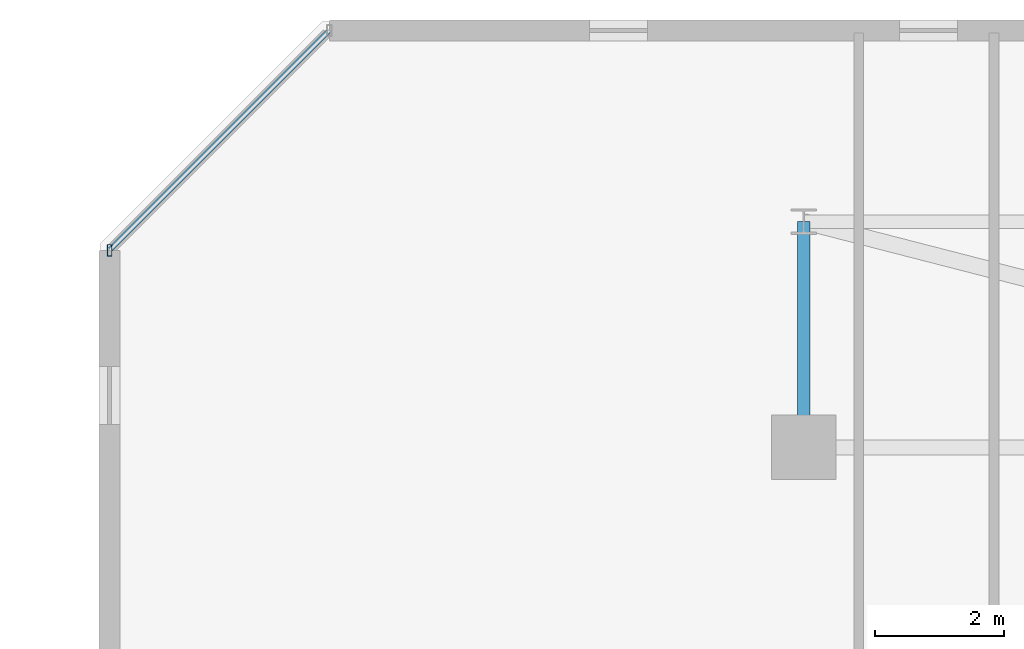
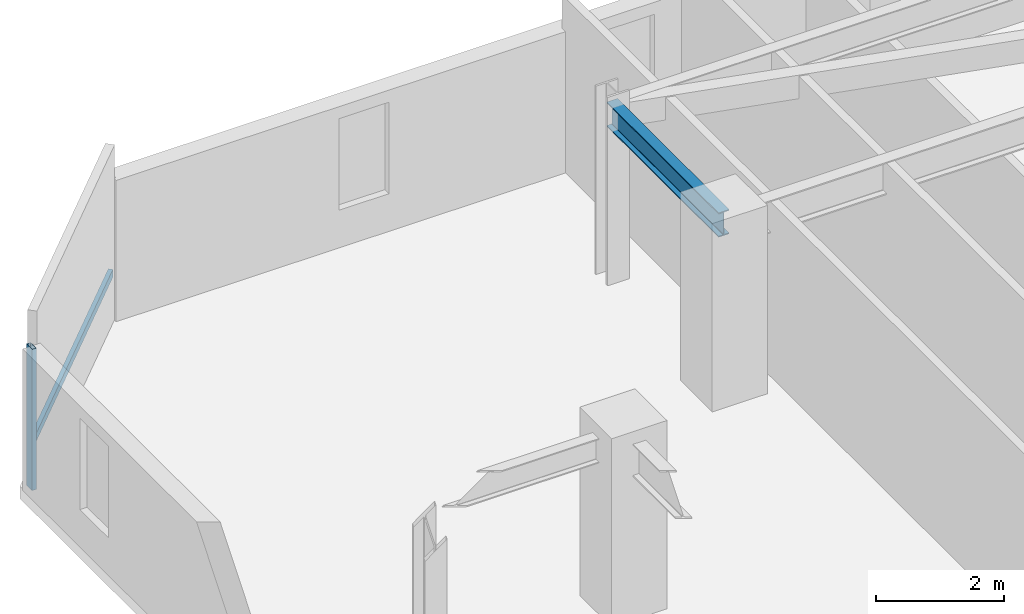
# One storey, part 7 of 33: 2 members, 1 beam, 1 element without a shape of its own.
"""IFC4 building model written with IfcOpenShell, lengths in metres."""

from ifc_helpers import new_model, si_unit, direction, frame, origin, origin_2d, place, context, subcontext, project, spatial, hollow_rectangle, i_section, extrude, material, material_profile, profile_set, type_object, element, aggregate, save


model = new_model("IFC4")

# Units and contexts
model_context = context("Model", 3, precision=1e-05, world=origin(), true_north=direction((0.0, 1.0)))
body_context = subcontext(model_context, "Body", "Model", "MODEL_VIEW")
ifc_project = project(units=[si_unit("LENGTHUNIT", "METRE"), si_unit("AREAUNIT", "SQUARE_METRE"), si_unit("VOLUMEUNIT", "CUBIC_METRE"), si_unit("PLANEANGLEUNIT", "RADIAN"), si_unit("MASSUNIT", "GRAM", prefix="KILO")], contexts=[model_context])

# Site, building, storey
site_placement = place(None, origin())
site = spatial("IfcSite", under=ifc_project, at=site_placement, CompositionType="ELEMENT")
building_placement = place(site_placement, origin())
building = spatial("IfcBuilding", under=site, at=building_placement, Name="Thornwick Lancets Civic Towers", CompositionType="ELEMENT")
storey_placement = place(building_placement, frame((0.0, 0.0, 210.89990234375)))
storey = spatial("IfcBuildingStorey", under=building, at=storey_placement, Name="L56", CompositionType="ELEMENT", Elevation=210.89990234375)

# Beam
ifc_material_1 = material(Name="Steel S355JR", Category="steel")
ifc_material_profile_1 = material_profile(ifc_material_1, i_section(OverallWidth=0.19287109375, OverallDepth=0.46728515625, WebThickness=0.011474609375, FlangeThickness=0.01953125, FilletRadius=0.01025390625, at=origin_2d()), Name="UKB 457x191x98")
ifc_profile_set_1 = profile_set([ifc_material_profile_1], Name="Steel S355JR")
beam_type = type_object("IfcBeamType", Name="BM_JOIST_457_98", PredefinedType="JOIST", material=ifc_profile_set_1)
beam_placement = place(storey_placement, frame((12.5, 44.300048828125, 3.12646484375), z_axis=(0.0, 1.0, 0.0), x_axis=(-1.0, 0.0, 0.0)))
element("IfcBeam", 1, at=beam_placement, inside=storey, type_object=beam_type, Name="BM-RAD-L56-A07", PredefinedType="JOIST", context=body_context, shape_type="SweptSolid", body=[
    extrude(i_section(OverallWidth=0.19287109375, OverallDepth=0.46728515625, WebThickness=0.011474609375, FlangeThickness=0.01953125, FilletRadius=0.01025390625, at=origin_2d()), origin(), (0.0, 0.0, 1.0), 3.5),
])

# Curtain wall, members
ifc_material_2 = material(Name="High-zone chamfered-corner unitised glass curtain wall", Category="glass")
curtain_wall_type = type_object("IfcCurtainWallType", Name="CW_SYS_05", PredefinedType="NOTDEFINED", material=ifc_material_2)
curtain_wall_placement = place(storey_placement, origin())
curtain_wall = element("IfcCurtainWall", 2, at=curtain_wall_placement, inside=storey, type_object=curtain_wall_type, Name="L56 Curtain Wall CW-L56-A-E5", PredefinedType="NOTDEFINED")
ifc_material_3 = material(Name="Thermally broken bronze aluminium S355", Category="steel")
ifc_material_profile_2 = material_profile(ifc_material_3, hollow_rectangle(XDim=0.074951171875, YDim=0.179931640625, WallThickness=0.006103515625, at=origin_2d()), Name="RHS 180x75x6")
ifc_profile_set_2 = profile_set([ifc_material_profile_2], Name="Thermally broken bronze aluminium S355")
member_type_1 = type_object("IfcMemberType", Name="CW_MUL_180", PredefinedType="MULLION", material=ifc_profile_set_2)
member_1_placement = place(storey_placement, frame((1.738037109375, 47.353515625, 0.0), z_axis=(0.0, 0.0, 1.0), x_axis=(1.0, 0.0, 0.0)))
member_1 = element("IfcMember", 3, at=member_1_placement, type_object=member_type_1, Name="CW-L56-A-E5 Mullion 1", PredefinedType="MULLION", context=body_context, shape_type="SweptSolid", body=[
    extrude(hollow_rectangle(XDim=0.074951171875, YDim=0.179931640625, WallThickness=0.006103515625, at=origin_2d()), origin(), (0.0, 0.0, 1.0), 2.7001953125),
])
ifc_material_profile_3 = material_profile(ifc_material_3, hollow_rectangle(XDim=0.074951171875, YDim=0.14990234375, WallThickness=0.0048828125, at=origin_2d()), Name="RHS 150x75x5")
ifc_profile_set_3 = profile_set([ifc_material_profile_3], Name="Thermally broken bronze aluminium S355")
member_type_2 = type_object("IfcMemberType", Name="CW_TRN_150", PredefinedType="USERDEFINED", material=ifc_profile_set_3)
member_2_placement = place(storey_placement, frame((5.13232421875, 50.747802734375, 0.85009765625), z_axis=(-0.707106781187, -0.707106781187, 0.0), x_axis=(0.707106781187, -0.707106781187, 0.0)))
member_2 = element("IfcMember", 4, at=member_2_placement, type_object=member_type_2, Name="CW-L56-A-E5 Transom 0", ObjectType="TRANSOM", PredefinedType="USERDEFINED", context=body_context, shape_type="SweptSolid", body=[
    extrude(hollow_rectangle(XDim=0.074951171875, YDim=0.14990234375, WallThickness=0.0048828125, at=origin_2d()), origin(), (0.0, 0.0, 1.0), 4.7802734375),
])
aggregate(curtain_wall, [member_1, member_2])

save(model, "model.ifc")
